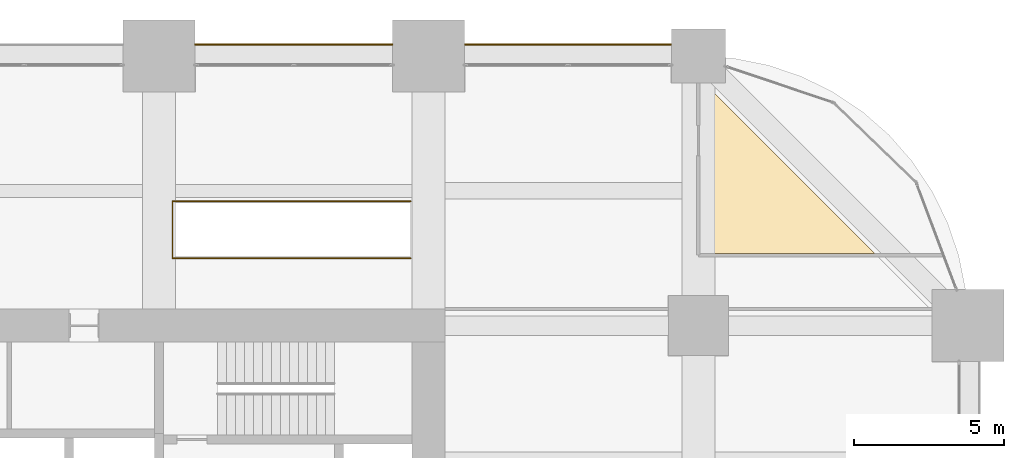
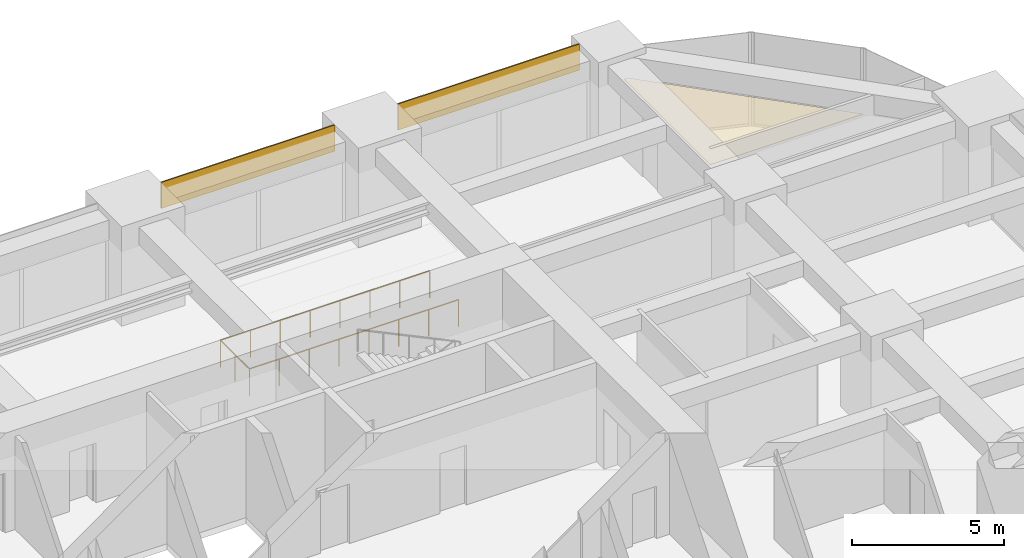
# One storey, part 41 of 41: 3 coverings, 1 railing.
"""IFC4 building model written with IfcOpenShell, lengths in metres."""

from ifc_helpers import new_model, si_unit, direction, frame, frame_2d, origin, origin_2d, place, context, subcontext, project, spatial, polyline, rectangle, circle, outline, extrude, material, layer, layer_set, type_object, element, save


model = new_model("IFC4")

# Units and contexts
model_context = context("Model", 3, precision=1e-05, world=origin(), true_north=direction((0.0, 1.0)))
body_context = subcontext(model_context, "Body", "Model", "MODEL_VIEW")
ifc_project = project(units=[si_unit("LENGTHUNIT", "METRE"), si_unit("AREAUNIT", "SQUARE_METRE"), si_unit("VOLUMEUNIT", "CUBIC_METRE"), si_unit("PLANEANGLEUNIT", "RADIAN"), si_unit("MASSUNIT", "GRAM", prefix="KILO")], contexts=[model_context])

# Site, building, storey
site_placement = place(None, origin())
site = spatial("IfcSite", under=ifc_project, at=site_placement, CompositionType="ELEMENT")
building_placement = place(site_placement, origin())
building = spatial("IfcBuilding", under=site, at=building_placement, Name="Zorevar Civic Tower", CompositionType="ELEMENT")
storey_placement = place(building_placement, frame((0.0, 0.0, 101.0)))
storey = spatial("IfcBuildingStorey", under=building, at=storey_placement, Name="L24", CompositionType="ELEMENT", Elevation=101.0)

# Railing
ifc_material_1 = material(Name="Laminated glass balustrade with black steel handrail", Category="steel")
railing_type = type_object("IfcRailingType", Name="Balustrade BL1 1100", PredefinedType="BALUSTRADE", material=ifc_material_1)
railing_placement = place(storey_placement, frame((44.39990234375, 38.25, 0.0)))
element("IfcRailing", 1, at=railing_placement, inside=storey, type_object=railing_type, Name="Balustrade BL1 stair void L24", PredefinedType="BALUSTRADE", context=body_context, shape_type="SweptSolid", body=[
    extrude(circle(Radius=0.02392578125, at=origin_2d()), frame((0.0, 0.0, 1.076171875), z_axis=(-1.0, 0.0, 0.0), x_axis=(0.0, -1.0, 0.0)), (0.0, 0.0, 1.0), 7.949951171875),
    extrude(circle(Radius=0.02392578125, at=origin_2d()), frame((-7.949951171875, 0.0, 1.076171875), z_axis=(0.0, 1.0, 0.0), x_axis=(-1.0, 0.0, 0.0)), (0.0, 0.0, 1.0), 1.89990234375),
    extrude(circle(Radius=0.02392578125, at=origin_2d()), frame((-7.949951171875, 1.89990234375, 1.076171875), z_axis=(1.0, 0.0, 0.0), x_axis=(0.0, 1.0, 0.0)), (0.0, 0.0, 1.0), 7.949951171875),
    extrude(circle(Radius=0.02099609375, at=origin_2d()), origin(), (0.0, 0.0, 1.0), 1.052001953125),
    extrude(circle(Radius=0.02099609375, at=origin_2d()), frame((-1.1357421875, 0.0, 0.0)), (0.0, 0.0, 1.0), 1.052001953125),
    extrude(circle(Radius=0.02099609375, at=origin_2d()), frame((-2.271484375, 0.0, 0.0)), (0.0, 0.0, 1.0), 1.052001953125),
    extrude(circle(Radius=0.02099609375, at=origin_2d()), frame((-3.4072265625, 0.0, 0.0)), (0.0, 0.0, 1.0), 1.052001953125),
    extrude(circle(Radius=0.02099609375, at=origin_2d()), frame((-4.542724609375, 0.0, 0.0)), (0.0, 0.0, 1.0), 1.052001953125),
    extrude(circle(Radius=0.02099609375, at=origin_2d()), frame((-5.678466796875, 0.0, 0.0)), (0.0, 0.0, 1.0), 1.052001953125),
    extrude(circle(Radius=0.02099609375, at=origin_2d()), frame((-6.814208984375, 0.0, 0.0)), (0.0, 0.0, 1.0), 1.052001953125),
    extrude(circle(Radius=0.02099609375, at=origin_2d()), frame((-7.949951171875, 0.0, 0.0)), (0.0, 0.0, 1.0), 1.052001953125),
    extrude(circle(Radius=0.02099609375, at=origin_2d()), frame((-7.949951171875, 0.949951171875, 0.0)), (0.0, 0.0, 1.0), 1.052001953125),
    extrude(circle(Radius=0.02099609375, at=origin_2d()), frame((-7.949951171875, 1.89990234375, 0.0)), (0.0, 0.0, 1.0), 1.052001953125),
    extrude(circle(Radius=0.02099609375, at=origin_2d()), frame((-6.814208984375, 1.89990234375, 0.0)), (0.0, 0.0, 1.0), 1.052001953125),
    extrude(circle(Radius=0.02099609375, at=origin_2d()), frame((-5.678466796875, 1.89990234375, 0.0)), (0.0, 0.0, 1.0), 1.052001953125),
    extrude(circle(Radius=0.02099609375, at=origin_2d()), frame((-4.542724609375, 1.89990234375, 0.0)), (0.0, 0.0, 1.0), 1.052001953125),
    extrude(circle(Radius=0.02099609375, at=origin_2d()), frame((-3.4072265625, 1.89990234375, 0.0)), (0.0, 0.0, 1.0), 1.052001953125),
    extrude(circle(Radius=0.02099609375, at=origin_2d()), frame((-2.271484375, 1.89990234375, 0.0)), (0.0, 0.0, 1.0), 1.052001953125),
    extrude(circle(Radius=0.02099609375, at=origin_2d()), frame((-1.1357421875, 1.89990234375, 0.0)), (0.0, 0.0, 1.0), 1.052001953125),
    extrude(circle(Radius=0.02099609375, at=origin_2d()), frame((0.0, 1.89990234375, 0.0)), (0.0, 0.0, 1.0), 1.052001953125),
])

# Coverings
ifc_material_2 = material(Name="Black anodised aluminium spandrel panel", Category="aluminium")
ifc_layer_1 = layer(ifc_material_2, 0.050048828125)
ifc_layer_set_1 = layer_set([ifc_layer_1], Name="Spandrel cladding SP1")
covering_type_1 = type_object("IfcCoveringType", Name="Spandrel cladding SP1", PredefinedType="CLADDING", material=ifc_layer_set_1)
covering_1_placement = place(storey_placement, frame((37.199951171875, 45.375, 2.949951171875), z_axis=(0.0, 0.0, 1.0), x_axis=(1.0, 0.0, 0.0)))
element("IfcCovering", 2, at=covering_1_placement, inside=storey, type_object=covering_type_1, Name="Spandrel cladding L25", PredefinedType="CLADDING", context=body_context, shape_type="SweptSolid", body=[
    extrude(rectangle(XDim=6.60009765625, YDim=0.050048828125, at=frame_2d((3.300048828125, 0.0))), origin(), (0.0, 0.0, 1.0), 1.050048828125),
])
covering_2_placement = place(storey_placement, frame((46.199951171875, 45.375, 2.949951171875), z_axis=(0.0, 0.0, 1.0), x_axis=(1.0, 0.0, 0.0)))
element("IfcCovering", 3, at=covering_2_placement, inside=storey, type_object=covering_type_1, Name="Spandrel cladding L25", PredefinedType="CLADDING", context=body_context, shape_type="SweptSolid", body=[
    extrude(rectangle(XDim=6.900146484375, YDim=0.050048828125, at=frame_2d((3.4501953125, 0.0))), origin(), (0.0, 0.0, 1.0), 1.050048828125),
])
ifc_material_3 = material(Name="Mineral fibre tiles on a concealed grid")
ifc_layer_2 = layer(ifc_material_3, 0.02001953125)
ifc_layer_set_2 = layer_set([ifc_layer_2], Name="Suspended ceiling SC1")
covering_type_2 = type_object("IfcCoveringType", Name="Suspended ceiling SC1", PredefinedType="CEILING", material=ifc_layer_set_2)
covering_3_placement = place(storey_placement, frame((0.0, 0.0, 3.0)))
element("IfcCovering", 4, at=covering_3_placement, inside=storey, type_object=covering_type_2, Name="Ceiling L24-33", PredefinedType="CEILING", context=body_context, shape_type="SweptSolid", body=[
    extrude(outline(polyline([(54.06005859375, 38.409912109375), (54.06005859375, 44.090087890625), (54.202880859375, 44.090087890625), (59.8828125, 38.409912109375), (54.06005859375, 38.409912109375)])), origin(), (0.0, 0.0, 1.0), 0.02001953125),
])

save(model, "model.ifc")
